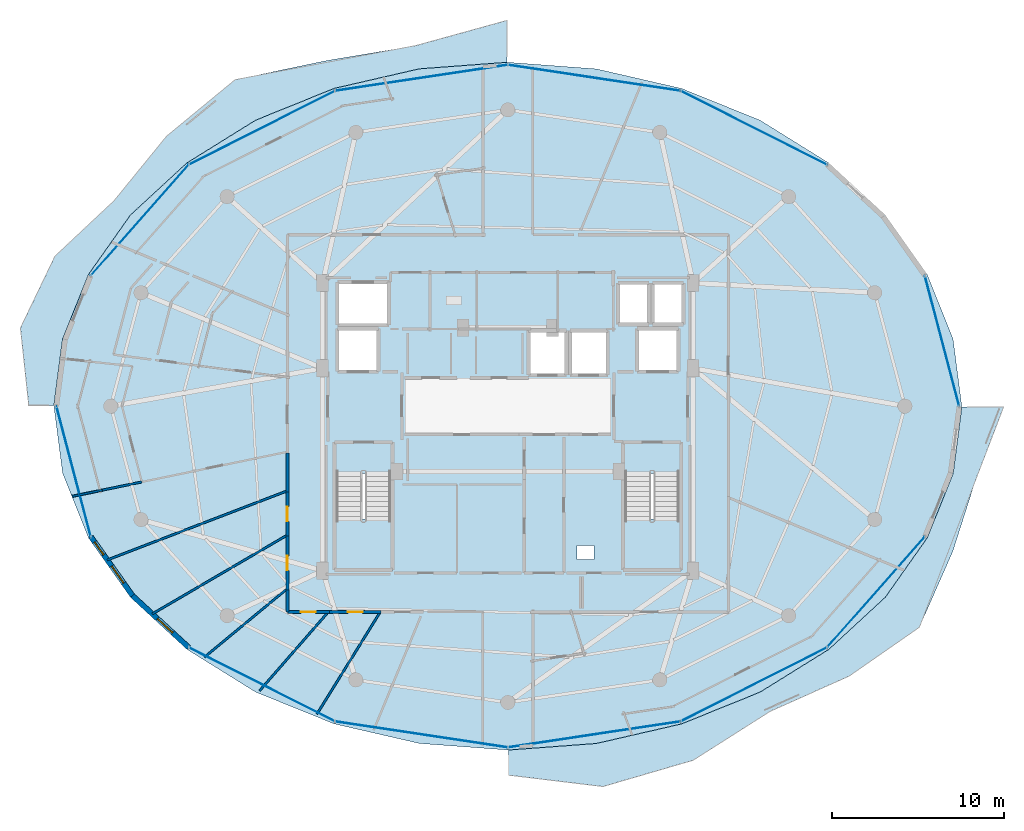
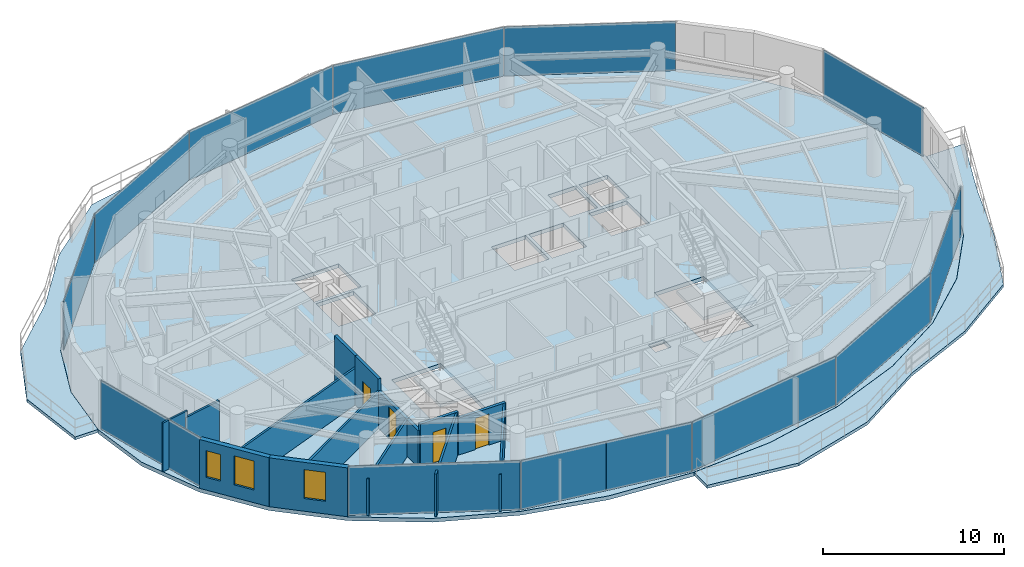
# One storey, part 21 of 30: 15 walls, 13 plates, 5 slabs, 4 doors, 3 windows, 7 openings, 6 elements without a shape of their own.
"""IFC4 building model written with IfcOpenShell, lengths in metres."""

from ifc_helpers import new_model, si_unit, direction, frame, frame_2d, origin, origin_2d, place, context, subcontext, project, spatial, polyline, rectangle, outline, extrude, material, layer, layer_set, type_object, element, fill, aggregate, save


model = new_model("IFC4")

# Units and contexts
model_context = context("Model", 3, precision=1e-05, world=origin(), true_north=direction((0.0, 1.0)))
body_context = subcontext(model_context, "Body", "Model", "MODEL_VIEW")
ifc_project = project(units=[si_unit("LENGTHUNIT", "METRE"), si_unit("AREAUNIT", "SQUARE_METRE"), si_unit("VOLUMEUNIT", "CUBIC_METRE"), si_unit("PLANEANGLEUNIT", "RADIAN"), si_unit("MASSUNIT", "GRAM", prefix="KILO")], contexts=[model_context])

# Site, building, storey
site_placement = place(None, origin())
site = spatial("IfcSite", under=ifc_project, at=site_placement, CompositionType="ELEMENT")
building_placement = place(site_placement, origin())
building = spatial("IfcBuilding", under=site, at=building_placement, Name="Vorneva Point Tower", CompositionType="ELEMENT")
storey_placement = place(building_placement, frame((0.0, 0.0, 234.25)))
storey = spatial("IfcBuildingStorey", under=building, at=storey_placement, Name="L63", CompositionType="ELEMENT", Elevation=234.25)

# Curtain wall, plate
ifc_material_1 = material(Name="Pale anodised aluminium", Category="aluminium")
curtain_wall_type = type_object("IfcCurtainWallType", Name="CW-RES-SYS", PredefinedType="NOTDEFINED", material=ifc_material_1)
curtain_wall_1_placement = place(storey_placement, origin())
curtain_wall_1 = element("IfcCurtainWall", 1, at=curtain_wall_1_placement, inside=storey, type_object=curtain_wall_type, Name="L63 Unitised Curtain Wall CW-L63-R01", PredefinedType="NOTDEFINED")
ifc_material_2 = material(Name="Double low-e laminated glass IGU", Category="glass")
ifc_layer_1 = layer(ifc_material_2, 0.035888671875)
ifc_layer_set_1 = layer_set([ifc_layer_1], Name="Double low-e laminated glass IGU")
plate_type = type_object("IfcPlateType", Name="CW-PNL-VIS", PredefinedType="CURTAIN_PANEL", material=ifc_layer_set_1)
plate_1_placement = place(storey_placement, frame((63.202880859375, 29.79052734375, -0.02001953125), z_axis=(0.0, 0.0, 1.0), x_axis=(-0.254416284022, 0.967094801157, 0.0)))
plate_1 = element("IfcPlate", 2, at=plate_1_placement, type_object=plate_type, Name="CW-L63-R01 Glazed Panel 01", PredefinedType="CURTAIN_PANEL", context=body_context, shape_type="SweptSolid", body=[
    extrude(rectangle(XDim=7.7890625, YDim=0.035888671875, at=origin_2d()), origin(), (0.0, 0.0, 1.0), 3.330078125),
])
aggregate(curtain_wall_1, [plate_1])

# Curtain wall, plates
curtain_wall_2_placement = place(storey_placement, origin())
curtain_wall_2 = element("IfcCurtainWall", 3, at=curtain_wall_2_placement, inside=storey, type_object=curtain_wall_type, Name="L63 Unitised Curtain Wall CW-L63-R02", PredefinedType="NOTDEFINED")
plate_2_placement = place(storey_placement, frame((52.2763671875, 42.15478515625, -0.02001953125), z_axis=(0.0, 0.0, 1.0), x_axis=(-0.892554339087, 0.450939853836, 0.0)))
plate_2 = element("IfcPlate", 4, at=plate_2_placement, type_object=plate_type, Name="CW-L63-R02 Glazed Panel 01", PredefinedType="CURTAIN_PANEL", context=body_context, shape_type="SweptSolid", body=[
    extrude(rectangle(XDim=9.47314453125, YDim=0.035888671875, at=origin_2d()), origin(), (0.0, 0.0, 1.0), 3.330078125),
])
plate_3_placement = place(storey_placement, frame((43.01318359375, 45.055908203125, -0.02001953125), z_axis=(0.0, 0.0, 1.0), x_axis=(-0.988878712919, 0.148724211669, 0.0)))
plate_3 = element("IfcPlate", 5, at=plate_3_placement, type_object=plate_type, Name="CW-L63-R02 Glazed Panel 02", PredefinedType="CURTAIN_PANEL", context=body_context, shape_type="SweptSolid", body=[
    extrude(rectangle(XDim=10.089111328125, YDim=0.035888671875, at=origin_2d()), origin(), (0.0, 0.0, 1.0), 3.330078125),
])
plate_4_placement = place(storey_placement, frame((32.98681640625, 45.055908203125, -0.02001953125), z_axis=(0.0, 0.0, 1.0), x_axis=(-0.988878712919, -0.148724211669, 0.0)))
plate_4 = element("IfcPlate", 6, at=plate_4_placement, type_object=plate_type, Name="CW-L63-R02 Glazed Panel 03", PredefinedType="CURTAIN_PANEL", context=body_context, shape_type="SweptSolid", body=[
    extrude(rectangle(XDim=10.089111328125, YDim=0.035888671875, at=origin_2d()), origin(), (0.0, 0.0, 1.0), 3.330078125),
])
plate_5_placement = place(storey_placement, frame((23.723876953125, 42.15478515625, -0.02001953125), z_axis=(0.0, 0.0, 1.0), x_axis=(-0.892554339087, -0.450939853836, 0.0)))
plate_5 = element("IfcPlate", 7, at=plate_5_placement, type_object=plate_type, Name="CW-L63-R02 Glazed Panel 04", PredefinedType="CURTAIN_PANEL", context=body_context, shape_type="SweptSolid", body=[
    extrude(rectangle(XDim=9.47314453125, YDim=0.035888671875, at=origin_2d()), origin(), (0.0, 0.0, 1.0), 3.330078125),
])
plate_6_placement = place(storey_placement, frame((16.634033203125, 36.79443359375, -0.02001953125), z_axis=(0.0, 0.0, 1.0), x_axis=(-0.662188570806, -0.749337238294, 0.0)))
plate_6 = element("IfcPlate", 8, at=plate_6_placement, type_object=plate_type, Name="CW-L63-R02 Glazed Panel 05", PredefinedType="CURTAIN_PANEL", context=body_context, shape_type="SweptSolid", body=[
    extrude(rectangle(XDim=8.526611328125, YDim=0.035888671875, at=origin_2d()), origin(), (0.0, 0.0, 1.0), 3.330078125),
])
aggregate(curtain_wall_2, [plate_2, plate_3, plate_4, plate_5, plate_6])

# Curtain wall, plate
curtain_wall_3_placement = place(storey_placement, origin())
curtain_wall_3 = element("IfcCurtainWall", 9, at=curtain_wall_3_placement, inside=storey, type_object=curtain_wall_type, Name="L63 Unitised Curtain Wall CW-L63-R03", PredefinedType="NOTDEFINED")
plate_7_placement = place(storey_placement, frame((12.797119140625, 22.20947265625, -0.02001953125), z_axis=(0.0, 0.0, 1.0), x_axis=(0.254416284022, -0.967094801157, 0.0)))
plate_7 = element("IfcPlate", 10, at=plate_7_placement, type_object=plate_type, Name="CW-L63-R03 Glazed Panel 01", PredefinedType="CURTAIN_PANEL", context=body_context, shape_type="SweptSolid", body=[
    extrude(rectangle(XDim=7.7890625, YDim=0.035888671875, at=origin_2d()), origin(), (0.0, 0.0, 1.0), 3.330078125),
])
aggregate(curtain_wall_3, [plate_7])

# Curtain wall, plates
curtain_wall_4_placement = place(storey_placement, origin())
curtain_wall_4 = element("IfcCurtainWall", 11, at=curtain_wall_4_placement, inside=storey, type_object=curtain_wall_type, Name="L63 Unitised Curtain Wall CW-L63-R04", PredefinedType="NOTDEFINED")
plate_8_placement = place(storey_placement, frame((23.723876953125, 9.84521484375, -0.02001953125), z_axis=(0.0, 0.0, 1.0), x_axis=(0.892554339087, -0.450939853836, 0.0)))
plate_8 = element("IfcPlate", 12, at=plate_8_placement, type_object=plate_type, Name="CW-L63-R04 Glazed Panel 01", PredefinedType="CURTAIN_PANEL", context=body_context, shape_type="SweptSolid", body=[
    extrude(rectangle(XDim=9.47314453125, YDim=0.035888671875, at=origin_2d()), origin(), (0.0, 0.0, 1.0), 3.330078125),
])
plate_9_placement = place(storey_placement, frame((30.480224609375, 7.32080078125, -0.02001953125), z_axis=(0.0, 0.0, 1.0), x_axis=(0.988878712919, -0.148724211669, 0.0)))
plate_9 = element("IfcPlate", 13, at=plate_9_placement, type_object=plate_type, Name="CW-L63-R04 Glazed Panel 02A", PredefinedType="CURTAIN_PANEL", context=body_context, shape_type="SweptSolid", body=[
    extrude(rectangle(XDim=5.01953125, YDim=0.035888671875, at=origin_2d()), origin(), (0.0, 0.0, 1.0), 3.330078125),
])
plate_10_placement = place(storey_placement, frame((35.493408203125, 6.56689453125, -0.02001953125), z_axis=(0.0, 0.0, 1.0), x_axis=(0.988878712919, -0.148724211669, 0.0)))
plate_10 = element("IfcPlate", 14, at=plate_10_placement, type_object=plate_type, Name="CW-L63-R04 Glazed Panel 02B", PredefinedType="CURTAIN_PANEL", context=body_context, shape_type="SweptSolid", body=[
    extrude(rectangle(XDim=5.01953125, YDim=0.035888671875, at=origin_2d()), origin(), (0.0, 0.0, 1.0), 3.330078125),
])
plate_11_placement = place(storey_placement, frame((43.01318359375, 6.944091796875, -0.02001953125), z_axis=(0.0, 0.0, 1.0), x_axis=(0.988878712919, 0.148724211669, 0.0)))
plate_11 = element("IfcPlate", 15, at=plate_11_placement, type_object=plate_type, Name="CW-L63-R04 Glazed Panel 03", PredefinedType="CURTAIN_PANEL", context=body_context, shape_type="SweptSolid", body=[
    extrude(rectangle(XDim=10.089111328125, YDim=0.035888671875, at=origin_2d()), origin(), (0.0, 0.0, 1.0), 3.330078125),
])
plate_12_placement = place(storey_placement, frame((52.2763671875, 9.84521484375, -0.02001953125), z_axis=(0.0, 0.0, 1.0), x_axis=(0.892554339087, 0.450939853836, 0.0)))
plate_12 = element("IfcPlate", 16, at=plate_12_placement, type_object=plate_type, Name="CW-L63-R04 Glazed Panel 04", PredefinedType="CURTAIN_PANEL", context=body_context, shape_type="SweptSolid", body=[
    extrude(rectangle(XDim=9.47314453125, YDim=0.035888671875, at=origin_2d()), origin(), (0.0, 0.0, 1.0), 3.330078125),
])
plate_13_placement = place(storey_placement, frame((59.365966796875, 15.20556640625, -0.02001953125), z_axis=(0.0, 0.0, 1.0), x_axis=(0.662188570806, 0.749337238294, 0.0)))
plate_13 = element("IfcPlate", 17, at=plate_13_placement, type_object=plate_type, Name="CW-L63-R04 Glazed Panel 05", PredefinedType="CURTAIN_PANEL", context=body_context, shape_type="SweptSolid", body=[
    extrude(rectangle(XDim=8.526611328125, YDim=0.035888671875, at=origin_2d()), origin(), (0.0, 0.0, 1.0), 3.330078125),
])
aggregate(curtain_wall_4, [plate_8, plate_9, plate_10, plate_11, plate_12, plate_13])

# Slabs
ifc_material_3 = material(Name="Concrete B50 (C40/50)", Category="concrete")
ifc_layer_2 = layer(ifc_material_3, 0.199951171875)
ifc_layer_set_2 = layer_set([ifc_layer_2], Name="Concrete B50 (C40/50)")
slab_type_1 = type_object("IfcSlabType", Name="SLB-BAL-200", PredefinedType="FLOOR", material=ifc_layer_set_2)
slab_1_placement = place(storey_placement, frame((0.0, 0.0, -0.199951171875)))
element("IfcSlab", 18, at=slab_1_placement, inside=storey, type_object=slab_type_1, Name="L63 Cantilevered Wave Balcony NW", PredefinedType="FLOOR", context=body_context, shape_type="SweptSolid", body=[
    extrude(outline(polyline([(10.189697265625, 26.050048828125), (11.652587890625, 26.050048828125), (12.15234375, 29.89453125), (12.15234375, 29.894775390625), (12.152587890625, 29.895263671875), (12.152587890625, 29.8955078125), (13.652099609375, 33.639892578125), (13.65234375, 33.640380859375), (13.652587890625, 33.640625), (16.08740234375, 37.091552734375), (16.087890625, 37.091796875), (16.088134765625, 37.092041015625), (19.364990234375, 40.11669921875), (19.365234375, 40.1171875), (19.365478515625, 40.1171875), (23.358642578125, 42.599609375), (23.35888671875, 42.599609375), (23.359130859375, 42.599853515625), (27.914794921875, 44.4443359375), (27.9150390625, 44.4443359375), (27.915283203125, 44.444580078125), (32.8583984375, 45.580322265625), (32.85888671875, 45.58056640625), (32.859130859375, 45.58056640625), (37.949951171875, 45.960205078125), (37.949951171875, 48.39111328125), (32.655517578125, 46.92919921875), (27.41259765625, 46.045654296875), (22.170166015625, 44.948486328125), (18.190185546875, 41.668212890625), (15.143310546875, 37.925048828125), (11.709716796875, 34.702392578125), (9.707275390625, 30.537109375), (10.189697265625, 26.050048828125)])), origin(), (0.0, 0.0, 1.0), 0.199951171875),
])
slab_2_placement = place(storey_placement, frame((0.0, 0.0, -0.199951171875)))
element("IfcSlab", 19, at=slab_2_placement, inside=storey, type_object=slab_type_1, Name="L63 Cantilevered Wave Balcony SE", PredefinedType="FLOOR", context=body_context, shape_type="SweptSolid", body=[
    extrude(outline(polyline([(65.166748046875, 21.758544921875), (66.77587890625, 25.949951171875), (64.347412109375, 25.949951171875), (63.84765625, 22.10546875), (63.84765625, 22.105224609375), (63.847412109375, 22.104736328125), (63.847412109375, 22.1044921875), (62.347900390625, 18.360107421875), (62.34765625, 18.359619140625), (62.347412109375, 18.359375), (59.91259765625, 14.908447265625), (59.912109375, 14.908203125), (59.911865234375, 14.907958984375), (56.635009765625, 11.88330078125), (56.634765625, 11.8828125), (56.634521484375, 11.8828125), (52.641357421875, 9.400390625), (52.64111328125, 9.400390625), (52.640869140625, 9.400146484375), (48.085205078125, 7.5556640625), (48.0849609375, 7.5556640625), (48.084716796875, 7.555419921875), (43.1416015625, 6.419677734375), (43.14111328125, 6.41943359375), (43.140869140625, 6.41943359375), (38.050048828125, 6.039794921875), (38.050048828125, 4.5791015625), (43.517822265625, 3.919921875), (48.747802734375, 5.443115234375), (53.209716796875, 8.276611328125), (57.809814453125, 10.331787109375), (61.886474609375, 13.166748046875), (63.820068359375, 17.5546875), (65.166748046875, 21.758544921875)])), origin(), (0.0, 0.0, 1.0), 0.199951171875),
])

# Stair, slab
stair_type = type_object("IfcStairType", Name="ST-DOG-1500", PredefinedType="HALF_TURN_STAIR", material=ifc_material_3)
stair_1_placement = place(storey_placement, origin())
stair_1 = element("IfcStair", 20, at=stair_1_placement, inside=storey, type_object=stair_type, Name="L63 ST1", PredefinedType="HALF_TURN_STAIR")
ifc_layer_3 = layer(ifc_material_3, 0.199951171875)
ifc_layer_set_3 = layer_set([ifc_layer_3], Name="Concrete B50 (C40/50)")
slab_type_2 = type_object("IfcSlabType", Name="SLB-LND-200", PredefinedType="LANDING", material=ifc_layer_set_3)
slab_3_placement = place(storey_placement, frame((0.0, 0.0, 1.574951171875)))
slab_3 = element("IfcSlab", 21, at=slab_3_placement, type_object=slab_type_2, Name="ST1 landing 1", PredefinedType="LANDING", context=body_context, shape_type="SweptSolid", body=[
    extrude(outline(polyline([(27.929931640625, 16.47998046875), (31.320068359375, 16.47998046875), (31.320068359375, 19.43994140625), (27.929931640625, 19.43994140625), (27.929931640625, 16.47998046875)])), origin(), (0.0, 0.0, 1.0), 0.199951171875),
])
aggregate(stair_1, [slab_3])

stair_2_placement = place(storey_placement, origin())
stair_2 = element("IfcStair", 22, at=stair_2_placement, inside=storey, type_object=stair_type, Name="L63 ST2", PredefinedType="HALF_TURN_STAIR")
slab_4_placement = place(storey_placement, frame((0.0, 0.0, 1.574951171875)))
slab_4 = element("IfcSlab", 23, at=slab_4_placement, type_object=slab_type_2, Name="ST2 landing 1", PredefinedType="LANDING", context=body_context, shape_type="SweptSolid", body=[
    extrude(outline(polyline([(44.679931640625, 16.47998046875), (48.070068359375, 16.47998046875), (48.070068359375, 19.43994140625), (44.679931640625, 19.43994140625), (44.679931640625, 16.47998046875)])), origin(), (0.0, 0.0, 1.0), 0.199951171875),
])
aggregate(stair_2, [slab_4])

# Slab
ifc_layer_4 = layer(ifc_material_3, 0.260009765625)
ifc_layer_set_4 = layer_set([ifc_layer_4], Name="Concrete B50 (C40/50)")
slab_type_3 = type_object("IfcSlabType", Name="SLB-TYP-260", PredefinedType="FLOOR", material=ifc_layer_set_4)
slab_5_placement = place(storey_placement, frame((0.0, 0.0, -0.260009765625)))
element("IfcSlab", 24, at=slab_5_placement, inside=storey, type_object=slab_type_3, Name="L63 Structural Floor Plate", PredefinedType="FLOOR", context=body_context, shape_type="SweptSolid", body=[
    extrude(outline(polyline([(64.35009765625, 26.0), (63.84375, 29.89404296875), (62.34423828125, 33.638427734375), (59.9091796875, 37.089111328125), (56.63232421875, 40.114013671875), (52.639404296875, 42.59619140625), (48.083740234375, 44.440673828125), (43.140625, 45.576416015625), (38.0, 45.9599609375), (32.859375, 45.576416015625), (27.916259765625, 44.440673828125), (23.360595703125, 42.59619140625), (19.36767578125, 40.114013671875), (16.0908203125, 37.089111328125), (13.65576171875, 33.638427734375), (12.15625, 29.89404296875), (11.64990234375, 26.0), (12.15625, 22.10595703125), (13.65576171875, 18.361572265625), (16.0908203125, 14.910888671875), (19.36767578125, 11.885986328125), (23.360595703125, 9.40380859375), (27.916259765625, 7.559326171875), (32.859375, 6.423583984375), (38.0, 6.0400390625), (43.140625, 6.423583984375), (48.083740234375, 7.559326171875), (52.639404296875, 9.40380859375), (56.63232421875, 11.885986328125), (59.9091796875, 14.910888671875), (62.34423828125, 18.361572265625), (63.84375, 22.10595703125), (64.35009765625, 26.0)]), holes=[polyline([(39.199951171875, 27.800048828125), (41.39990234375, 27.800048828125), (41.39990234375, 30.39990234375), (39.199951171875, 30.39990234375), (39.199951171875, 27.800048828125)]), polyline([(41.60009765625, 27.800048828125), (43.800048828125, 27.800048828125), (43.800048828125, 30.39990234375), (41.60009765625, 30.39990234375), (41.60009765625, 27.800048828125)]), polyline([(44.39990234375, 30.739990234375), (46.199951171875, 30.739990234375), (46.199951171875, 33.159912109375), (44.39990234375, 33.159912109375), (44.39990234375, 30.739990234375)]), polyline([(46.39990234375, 30.739990234375), (48.199951171875, 30.739990234375), (48.199951171875, 33.159912109375), (46.39990234375, 33.159912109375), (46.39990234375, 30.739990234375)]), polyline([(28.10009765625, 28.0), (30.5, 28.0), (30.5, 30.5), (28.10009765625, 30.5), (28.10009765625, 28.0)]), polyline([(45.5, 28.0), (47.89990234375, 28.0), (47.89990234375, 30.5), (45.5, 30.5), (45.5, 28.0)]), polyline([(28.10009765625, 30.699951171875), (31.10009765625, 30.699951171875), (31.10009765625, 33.199951171875), (28.10009765625, 33.199951171875), (28.10009765625, 30.699951171875)]), polyline([(28.050048828125, 16.60009765625), (31.199951171875, 16.60009765625), (31.199951171875, 22.080078125), (28.050048828125, 22.080078125), (28.050048828125, 16.60009765625)]), polyline([(44.800048828125, 16.60009765625), (47.949951171875, 16.60009765625), (47.949951171875, 22.080078125), (44.800048828125, 22.080078125), (44.800048828125, 16.60009765625)]), polyline([(42.0, 17.10009765625), (43.0, 17.10009765625), (43.0, 17.89990234375), (42.0, 17.89990234375), (42.0, 17.10009765625)])]), origin(), (0.0, 0.0, 1.0), 0.260009765625),
])

# Wall, openings, windows
ifc_material_4 = material(Name="Precast concrete B50 (C40/50)", Category="concrete")
ifc_layer_5 = layer(ifc_material_4, 0.300048828125)
ifc_layer_set_5 = layer_set([ifc_layer_5], Name="Precast concrete B50 (C40/50)")
wall_type_1 = type_object("IfcWallType", Name="WL-EXT-300", PredefinedType="STANDARD", material=ifc_layer_set_5)
wall_1_placement = place(storey_placement, frame((13.79443359375, 18.4189453125, 0.0), z_axis=(0.0, 0.0, 1.0), x_axis=(0.577261247247, -0.816559521668, 0.0)))
wall_1 = element("IfcWall", 25, at=wall_1_placement, inside=storey, type_object=wall_type_1, Name="L63 Pale-Metal Facade Spandrel Wall 10.1", PredefinedType="STANDARD", context=body_context, shape_type="SweptSolid", body=[
    extrude(rectangle(XDim=4.194091796875, YDim=0.300048828125, at=frame_2d((2.09716796875, 0.0))), origin(), (0.0, 0.0, 1.0), 3.2900390625),
])
opening_1_placement = place(wall_1_placement, frame((0.37646484375, 0.0, 0.85009765625)))
opening_1 = element("IfcOpeningElement", 26, at=opening_1_placement, cuts=wall_1, Name="Opening W-08", PredefinedType="OPENING", context=body_context, shape_type="SweptSolid", body=[
    extrude(rectangle(XDim=0.89990234375, YDim=1.800048828125, at=frame_2d((0.449951171875, 0.89990234375))), frame((0.0, 0.1650390625, 0.0), z_axis=(0.0, -1.0, 0.0), x_axis=(1.0, 0.0, 0.0)), (0.0, 0.0, 1.0), 0.329833984375),
])
opening_2_placement = place(wall_1_placement, frame((2.087158203125, 0.0, 0.85009765625)))
opening_2 = element("IfcOpeningElement", 27, at=opening_2_placement, cuts=wall_1, Name="Opening W-04", PredefinedType="OPENING", context=body_context, shape_type="SweptSolid", body=[
    extrude(rectangle(XDim=1.199951171875, YDim=1.949951171875, at=frame_2d((0.60009765625, 0.97509765625))), frame((0.0, 0.1650390625, 0.0), z_axis=(0.0, -1.0, 0.0), x_axis=(1.0, 0.0, 0.0)), (0.0, 0.0, 1.0), 0.329833984375),
])
window_type_1 = type_object("IfcWindowType", Name="WN-CAS-900", PartitioningType="SINGLE_PANEL", PredefinedType="WINDOW", material=ifc_material_2)
window_1_placement = place(opening_1_placement, origin())
window_1 = element("IfcWindow", 28, at=window_1_placement, inside=storey, type_object=window_type_1, Name="L63 Dwelling Vision Window 01", OverallHeight=1.800048828125, OverallWidth=0.89990234375, PartitioningType="SINGLE_PANEL", PredefinedType="WINDOW", context=body_context, shape_type="SweptSolid", body=[
    extrude(rectangle(XDim=0.89990234375, YDim=1.800048828125, at=frame_2d((0.449951171875, 0.89990234375))), frame((0.0, 0.030029296875, 0.0), z_axis=(0.0, -1.0, 0.0), x_axis=(1.0, 0.0, 0.0)), (0.0, 0.0, 1.0), 0.06005859375),
])
fill(opening_1, window_1)
window_type_2 = type_object("IfcWindowType", Name="WN-RES-1200", PartitioningType="SINGLE_PANEL", PredefinedType="WINDOW", material=ifc_material_2)
window_2_placement = place(opening_2_placement, origin())
window_2 = element("IfcWindow", 29, at=window_2_placement, inside=storey, type_object=window_type_2, Name="L63 Dwelling Vision Window 02", OverallHeight=1.949951171875, OverallWidth=1.199951171875, PartitioningType="SINGLE_PANEL", PredefinedType="WINDOW", context=body_context, shape_type="SweptSolid", body=[
    extrude(rectangle(XDim=1.199951171875, YDim=1.949951171875, at=frame_2d((0.60009765625, 0.97509765625))), frame((0.0, 0.030029296875, 0.0), z_axis=(0.0, -1.0, 0.0), x_axis=(1.0, 0.0, 0.0)), (0.0, 0.0, 1.0), 0.06005859375),
])
fill(opening_2, window_2)

# Wall, opening, window
wall_2_placement = place(storey_placement, frame((16.215576171875, 14.994140625, 0.0), z_axis=(0.0, 0.0, 1.0), x_axis=(0.735445373611, -0.677584018727, 0.0)))
wall_2 = element("IfcWall", 30, at=wall_2_placement, inside=storey, type_object=wall_type_1, Name="L63 Pale-Metal Facade Spandrel Wall 10.2", PredefinedType="STANDARD", context=body_context, shape_type="SweptSolid", body=[
    extrude(rectangle(XDim=4.430419921875, YDim=0.300048828125, at=frame_2d((2.21533203125, 0.0))), origin(), (0.0, 0.0, 1.0), 3.2900390625),
])
opening_3_placement = place(wall_2_placement, frame((1.96923828125, 0.0, 0.85009765625)))
opening_3 = element("IfcOpeningElement", 31, at=opening_3_placement, cuts=wall_2, Name="Opening W-04", PredefinedType="OPENING", context=body_context, shape_type="SweptSolid", body=[
    extrude(rectangle(XDim=1.199951171875, YDim=1.949951171875, at=frame_2d((0.60009765625, 0.97509765625))), frame((0.0, 0.1650390625, 0.0), z_axis=(0.0, -1.0, 0.0), x_axis=(1.0, 0.0, 0.0)), (0.0, 0.0, 1.0), 0.329833984375),
])
window_3_placement = place(opening_3_placement, origin())
window_3 = element("IfcWindow", 32, at=window_3_placement, inside=storey, type_object=window_type_2, Name="L63 Dwelling Vision Window 03", OverallHeight=1.949951171875, OverallWidth=1.199951171875, PartitioningType="SINGLE_PANEL", PredefinedType="WINDOW", context=body_context, shape_type="SweptSolid", body=[
    extrude(rectangle(XDim=1.199951171875, YDim=1.949951171875, at=frame_2d((0.60009765625, 0.97509765625))), frame((0.0, 0.030029296875, 0.0), z_axis=(0.0, -1.0, 0.0), x_axis=(1.0, 0.0, 0.0)), (0.0, 0.0, 1.0), 0.06005859375),
])
fill(opening_3, window_3)

# Walls
ifc_material_5 = material(Name="Fire-rated acoustic gypsum stud partition", Category="gypsum")
ifc_layer_6 = layer(ifc_material_5, 0.110107421875)
ifc_layer_set_6 = layer_set([ifc_layer_6], Name="Fire-rated acoustic gypsum stud partition")
wall_type_2 = type_object("IfcWallType", Name="WL-PART-110", PredefinedType="PARTITIONING", material=ifc_layer_set_6)
wall_3_placement = place(storey_placement, frame((12.7080078125, 20.7626953125, 0.0), z_axis=(0.0, 0.0, 1.0), x_axis=(0.979256697864, 0.202623591143, 0.0)))
element("IfcWall", 33, at=wall_3_placement, inside=storey, type_object=wall_type_2, Name="L63 Interior Partition 079", PredefinedType="PARTITIONING", context=body_context, shape_type="SweptSolid", body=[
    extrude(rectangle(XDim=1.79541015625, YDim=0.110107421875, at=frame_2d((0.897705078125, 0.0))), origin(), (0.0, 0.0, 1.0), 3.2900390625),
])
ifc_layer_7 = layer(ifc_material_5, 0.125)
ifc_layer_set_7 = layer_set([ifc_layer_7], Name="Fire-rated acoustic gypsum stud partition")
wall_type_3 = type_object("IfcWallType", Name="WL-PART-125", PredefinedType="PARTITIONING", material=ifc_layer_set_7)
wall_4_placement = place(storey_placement, frame((16.757080078125, 21.60107421875, 0.0), z_axis=(0.0, 0.0, 1.0), x_axis=(-0.979193678003, -0.2029279206, 0.0)))
element("IfcWall", 34, at=wall_4_placement, inside=storey, type_object=wall_type_3, Name="L63 Interior Partition 073", PredefinedType="PARTITIONING", context=body_context, shape_type="SweptSolid", body=[
    extrude(rectangle(XDim=2.4794921875, YDim=0.125, at=frame_2d((1.23974609375, 0.0))), origin(), (0.0, 0.0, 1.0), 2.8740234375),
])
wall_5_placement = place(storey_placement, frame((14.748046875, 17.073974609375, 0.0), z_axis=(0.0, 0.0, 1.0), x_axis=(0.93355564233, 0.358432507836, 0.0)))
element("IfcWall", 35, at=wall_5_placement, inside=storey, type_object=wall_type_3, Name="L63 Interior Partition 080", PredefinedType="PARTITIONING", context=body_context, shape_type="SweptSolid", body=[
    extrude(rectangle(XDim=11.19580078125, YDim=0.125, at=frame_2d((5.597900390625, 0.0))), origin(), (0.0, 0.0, 1.0), 2.48193359375),
])
wall_6_placement = place(storey_placement, frame((17.363037109375, 13.94091796875, 0.0), z_axis=(0.0, 0.0, 1.0), x_axis=(0.863415767124, 0.5044930258, 0.0)))
element("IfcWall", 36, at=wall_6_placement, inside=storey, type_object=wall_type_3, Name="L63 Interior Partition 081", PredefinedType="PARTITIONING", context=body_context, shape_type="SweptSolid", body=[
    extrude(rectangle(XDim=9.07666015625, YDim=0.125, at=frame_2d((4.538330078125, 0.0))), origin(), (0.0, 0.0, 1.0), 2.48193359375),
])
wall_7_placement = place(storey_placement, frame((20.386962890625, 11.428955078125, 0.0), z_axis=(0.0, 0.0, 1.0), x_axis=(0.770490958976, 0.637450925277, 0.0)))
element("IfcWall", 37, at=wall_7_placement, inside=storey, type_object=wall_type_3, Name="L63 Interior Partition 082", PredefinedType="PARTITIONING", context=body_context, shape_type="SweptSolid", body=[
    extrude(rectangle(XDim=6.24658203125, YDim=0.125, at=frame_2d((3.123291015625, 0.0))), origin(), (0.0, 0.0, 1.0), 2.48193359375),
])
wall_8_placement = place(storey_placement, frame((23.583984375, 9.47509765625, 0.0), z_axis=(0.0, 0.0, 1.0), x_axis=(0.657373610703, 0.75356481868, 0.0)))
element("IfcWall", 38, at=wall_8_placement, inside=storey, type_object=wall_type_3, Name="L63 Interior Partition 083", PredefinedType="PARTITIONING", context=body_context, shape_type="SweptSolid", body=[
    extrude(rectangle(XDim=6.071044921875, YDim=0.125, at=frame_2d((3.03564453125, 0.0))), origin(), (0.0, 0.0, 1.0), 2.8740234375),
])
wall_9_placement = place(storey_placement, frame((26.91796875, 8.1259765625, 0.0), z_axis=(0.0, 0.0, 1.0), x_axis=(0.526957378796, 0.849891711298, 0.0)))
element("IfcWall", 39, at=wall_9_placement, inside=storey, type_object=wall_type_3, Name="L63 Interior Partition 084", PredefinedType="PARTITIONING", context=body_context, shape_type="SweptSolid", body=[
    extrude(rectangle(XDim=6.970458984375, YDim=0.125, at=frame_2d((3.4853515625, 0.0))), origin(), (0.0, 0.0, 1.0), 2.48193359375),
])
ifc_material_6 = material(Name="Autoclaved aerated concrete blockwork", Category="masonry")
ifc_layer_8 = layer(ifc_material_6, 0.179931640625)
ifc_layer_set_8 = layer_set([ifc_layer_8], Name="Autoclaved aerated concrete blockwork")
wall_type_4 = type_object("IfcWallType", Name="WL-PART-180", PredefinedType="PARTITIONING", material=ifc_layer_set_8)
wall_10_placement = place(storey_placement, frame((25.199951171875, 23.2880859375, 0.0), z_axis=(0.0, 0.0, 1.0), x_axis=(0.0, -1.0, 0.0)))
element("IfcWall", 40, at=wall_10_placement, inside=storey, type_object=wall_type_4, Name="L63 Interior Partition 041", PredefinedType="PARTITIONING", context=body_context, shape_type="SweptSolid", body=[
    extrude(rectangle(XDim=2.26513671875, YDim=0.179931640625, at=frame_2d((1.132568359375, 0.0))), origin(), (0.0, 0.0, 1.0), 3.2900390625),
])

# Wall, opening, door
wall_11_placement = place(storey_placement, frame((25.199951171875, 21.02294921875, 0.0), z_axis=(0.0, 0.0, 1.0), x_axis=(0.0, -1.0, 0.0)))
wall_11 = element("IfcWall", 41, at=wall_11_placement, inside=storey, type_object=wall_type_4, Name="L63 Interior Partition 042", PredefinedType="PARTITIONING", context=body_context, shape_type="SweptSolid", body=[
    extrude(rectangle(XDim=2.572021484375, YDim=0.179931640625, at=frame_2d((1.2861328125, 0.0))), origin(), (0.0, 0.0, 1.0), 3.2900390625),
])
opening_4_placement = place(wall_11_placement, frame((0.861083984375, 0.0, 0.0)))
opening_4 = element("IfcOpeningElement", 42, at=opening_4_placement, cuts=wall_11, Name="Opening ID-02", PredefinedType="OPENING", context=body_context, shape_type="SweptSolid", body=[
    extrude(rectangle(XDim=0.85009765625, YDim=2.10009765625, at=frame_2d((0.425048828125, 1.050048828125))), frame((0.0, 0.10498046875, 0.0), z_axis=(0.0, -1.0, 0.0), x_axis=(1.0, 0.0, 0.0)), (0.0, 0.0, 1.0), 0.209716796875),
])
ifc_material_7 = material(Name="Engineered oak fire-rated door leaf", Category="wood")
door_type = type_object("IfcDoorType", Name="DR-BATH-850", OperationType="NOTDEFINED", PredefinedType="DOOR", material=ifc_material_7)
door_1_placement = place(opening_4_placement, origin())
door_1 = element("IfcDoor", 43, at=door_1_placement, inside=storey, type_object=door_type, Name="L63 Access Door L63 Circulation Corridor", OperationType="SINGLE_SWING_RIGHT", OverallHeight=2.10009765625, OverallWidth=0.85009765625, PredefinedType="DOOR", context=body_context, shape_type="SweptSolid", body=[
    extrude(rectangle(XDim=0.85009765625, YDim=2.10009765625, at=frame_2d((0.425048828125, 1.050048828125))), frame((0.0, 0.02490234375, 0.0), z_axis=(0.0, -1.0, 0.0), x_axis=(1.0, 0.0, 0.0)), (0.0, 0.0, 1.0), 0.050048828125),
])
fill(opening_4, door_1)

wall_12_placement = place(storey_placement, frame((25.199951171875, 18.450927734375, 0.0), z_axis=(0.0, 0.0, 1.0), x_axis=(0.0, -1.0, 0.0)))
wall_12 = element("IfcWall", 44, at=wall_12_placement, inside=storey, type_object=wall_type_4, Name="L63 Interior Partition 043", PredefinedType="PARTITIONING", context=body_context, shape_type="SweptSolid", body=[
    extrude(rectangle(XDim=3.117919921875, YDim=0.179931640625, at=frame_2d((1.55908203125, 0.0))), origin(), (0.0, 0.0, 1.0), 2.48193359375),
])
opening_5_placement = place(wall_12_placement, frame((1.134033203125, 0.0, 0.0)))
opening_5 = element("IfcOpeningElement", 45, at=opening_5_placement, cuts=wall_12, Name="Opening ID-02", PredefinedType="OPENING", context=body_context, shape_type="SweptSolid", body=[
    extrude(rectangle(XDim=0.85009765625, YDim=2.10009765625, at=frame_2d((0.425048828125, 1.050048828125))), frame((0.0, 0.10498046875, 0.0), z_axis=(0.0, -1.0, 0.0), x_axis=(1.0, 0.0, 0.0)), (0.0, 0.0, 1.0), 0.209716796875),
])
door_2_placement = place(opening_5_placement, origin())
door_2 = element("IfcDoor", 46, at=door_2_placement, inside=storey, type_object=door_type, Name="L63 Access Door L63 Circulation Corridor", OperationType="SINGLE_SWING_LEFT", OverallHeight=2.10009765625, OverallWidth=0.85009765625, PredefinedType="DOOR", context=body_context, shape_type="SweptSolid", body=[
    extrude(rectangle(XDim=0.85009765625, YDim=2.10009765625, at=frame_2d((0.425048828125, 1.050048828125))), frame((0.0, 0.02490234375, 0.0), z_axis=(0.0, -1.0, 0.0), x_axis=(1.0, 0.0, 0.0)), (0.0, 0.0, 1.0), 0.050048828125),
])
fill(opening_5, door_2)

# Wall
wall_13_placement = place(storey_placement, frame((25.199951171875, 15.3330078125, 0.0), z_axis=(0.0, 0.0, 1.0), x_axis=(0.0, -1.0, 0.0)))
element("IfcWall", 47, at=wall_13_placement, inside=storey, type_object=wall_type_4, Name="L63 Interior Partition 044", PredefinedType="PARTITIONING", context=body_context, shape_type="SweptSolid", body=[
    extrude(rectangle(XDim=1.282958984375, YDim=0.179931640625, at=frame_2d((0.6416015625, 0.0))), origin(), (0.0, 0.0, 1.0), 2.48193359375),
])

# Wall, opening, door
wall_14_placement = place(storey_placement, frame((25.199951171875, 14.050048828125, 0.0), z_axis=(0.0, 0.0, 1.0), x_axis=(1.0, 0.0, 0.0)))
wall_14 = element("IfcWall", 48, at=wall_14_placement, inside=storey, type_object=wall_type_4, Name="L63 Interior Partition 045", PredefinedType="PARTITIONING", context=body_context, shape_type="SweptSolid", body=[
    extrude(rectangle(XDim=2.43505859375, YDim=0.179931640625, at=frame_2d((1.217529296875, 0.0))), origin(), (0.0, 0.0, 1.0), 2.924072265625),
])
opening_6_placement = place(wall_14_placement, frame((0.79248046875, 0.0, 0.0)))
opening_6 = element("IfcOpeningElement", 49, at=opening_6_placement, cuts=wall_14, Name="Opening ID-02", PredefinedType="OPENING", context=body_context, shape_type="SweptSolid", body=[
    extrude(rectangle(XDim=0.85009765625, YDim=2.10009765625, at=frame_2d((0.425048828125, 1.050048828125))), frame((0.0, 0.10498046875, 0.0), z_axis=(0.0, -1.0, 0.0), x_axis=(1.0, 0.0, 0.0)), (0.0, 0.0, 1.0), 0.209716796875),
])
door_3_placement = place(opening_6_placement, origin())
door_3 = element("IfcDoor", 50, at=door_3_placement, inside=storey, type_object=door_type, Name="L63 Access Door L63 Circulation Corridor", OperationType="SINGLE_SWING_RIGHT", OverallHeight=2.10009765625, OverallWidth=0.85009765625, PredefinedType="DOOR", context=body_context, shape_type="SweptSolid", body=[
    extrude(rectangle(XDim=0.85009765625, YDim=2.10009765625, at=frame_2d((0.425048828125, 1.050048828125))), frame((0.0, 0.02490234375, 0.0), z_axis=(0.0, -1.0, 0.0), x_axis=(1.0, 0.0, 0.0)), (0.0, 0.0, 1.0), 0.050048828125),
])
fill(opening_6, door_3)

wall_15_placement = place(storey_placement, frame((27.635009765625, 14.050048828125, 0.0), z_axis=(0.0, 0.0, 1.0), x_axis=(1.0, 0.0, 0.0)))
wall_15 = element("IfcWall", 51, at=wall_15_placement, inside=storey, type_object=wall_type_4, Name="L63 Interior Partition 046", PredefinedType="PARTITIONING", context=body_context, shape_type="SweptSolid", body=[
    extrude(rectangle(XDim=3.015869140625, YDim=0.179931640625, at=frame_2d((1.5078125, 0.0))), origin(), (0.0, 0.0, 1.0), 2.48193359375),
])
opening_7_placement = place(wall_15_placement, frame((1.0830078125, 0.0, 0.0)))
opening_7 = element("IfcOpeningElement", 52, at=opening_7_placement, cuts=wall_15, Name="Opening ID-02", PredefinedType="OPENING", context=body_context, shape_type="SweptSolid", body=[
    extrude(rectangle(XDim=0.85009765625, YDim=2.10009765625, at=frame_2d((0.425048828125, 1.050048828125))), frame((0.0, 0.10498046875, 0.0), z_axis=(0.0, -1.0, 0.0), x_axis=(1.0, 0.0, 0.0)), (0.0, 0.0, 1.0), 0.209716796875),
])
door_4_placement = place(opening_7_placement, origin())
door_4 = element("IfcDoor", 53, at=door_4_placement, inside=storey, type_object=door_type, Name="L63 Access Door L63 Circulation Corridor", OperationType="SINGLE_SWING_LEFT", OverallHeight=2.10009765625, OverallWidth=0.85009765625, PredefinedType="DOOR", context=body_context, shape_type="SweptSolid", body=[
    extrude(rectangle(XDim=0.85009765625, YDim=2.10009765625, at=frame_2d((0.425048828125, 1.050048828125))), frame((0.0, 0.02490234375, 0.0), z_axis=(0.0, -1.0, 0.0), x_axis=(1.0, 0.0, 0.0)), (0.0, 0.0, 1.0), 0.050048828125),
])
fill(opening_7, door_4)

save(model, "model.ifc")
